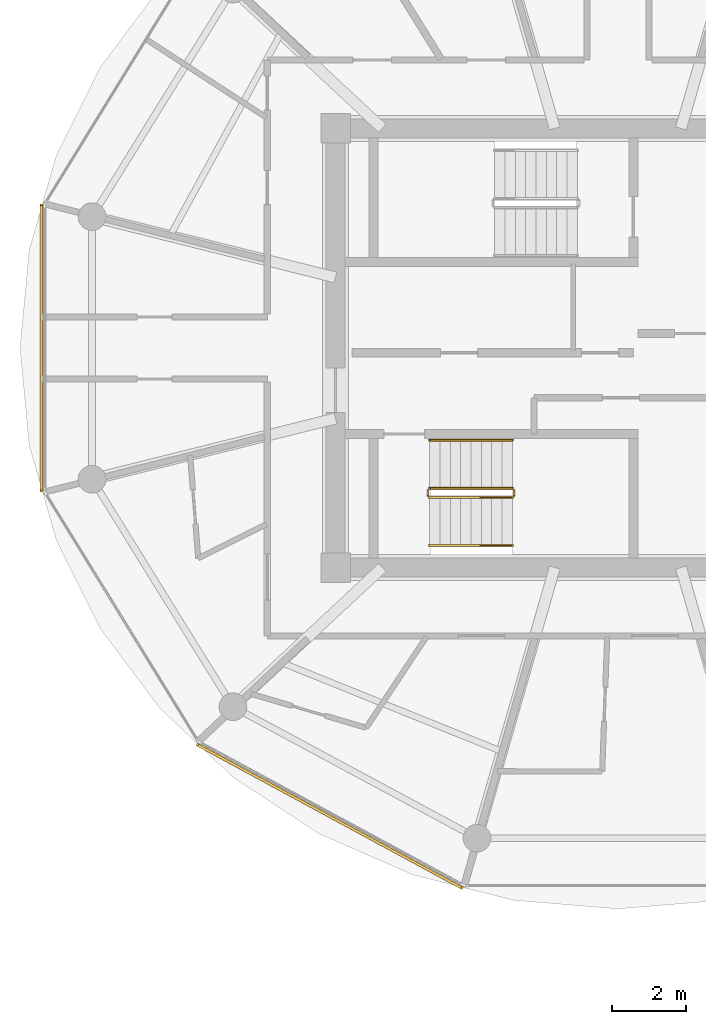
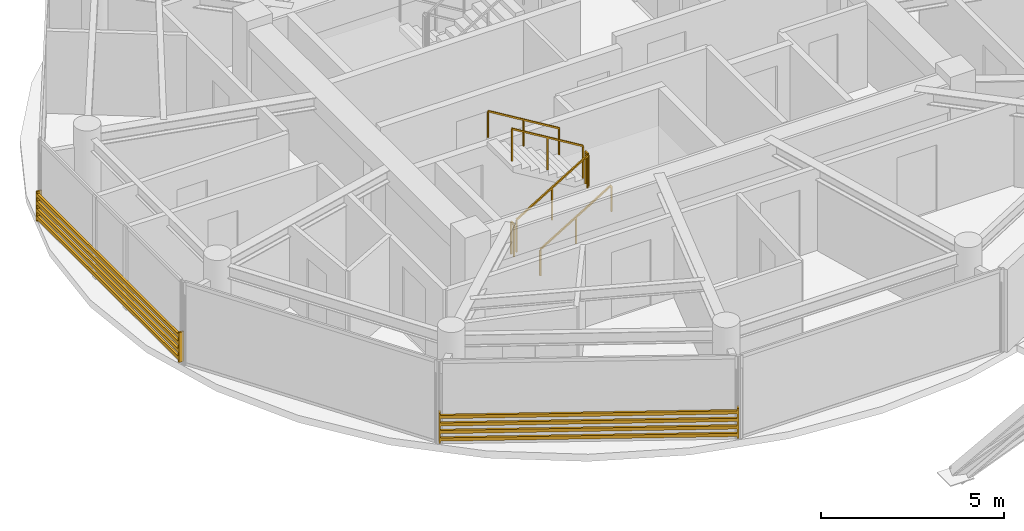
# One storey, part 19 of 23: 6 railings, 2 shading devices.
"""IFC4 building model written with IfcOpenShell, lengths in metres."""

from ifc_helpers import new_model, si_unit, direction, frame, origin, origin_2d, place, context, subcontext, project, spatial, rectangle, extrude, source, transform, mapped, material, type_object, type_shapes, element, save


model = new_model("IFC4")

# Units and contexts
model_context = context("Model", 3, precision=1e-05, world=origin(), true_north=direction((0.0, 1.0)))
body_context = subcontext(model_context, "Body", "Model", "MODEL_VIEW")
ifc_project = project(units=[si_unit("LENGTHUNIT", "METRE"), si_unit("AREAUNIT", "SQUARE_METRE"), si_unit("VOLUMEUNIT", "CUBIC_METRE"), si_unit("PLANEANGLEUNIT", "RADIAN"), si_unit("MASSUNIT", "GRAM", prefix="KILO")], contexts=[model_context])

# Site, building, storey
site_placement = place(None, origin())
site = spatial("IfcSite", under=ifc_project, at=site_placement, CompositionType="ELEMENT")
building_placement = place(site_placement, origin())
building = spatial("IfcBuilding", under=site, at=building_placement, Name="Norrkilde Senior Care Towers", CompositionType="ELEMENT")
storey_placement = place(building_placement, frame((0.0, 0.0, 196.75)))
storey = spatial("IfcBuildingStorey", under=building, at=storey_placement, Name="L61", CompositionType="ELEMENT", Elevation=196.75)

# Railings
ifc_material_1 = material(Name="Stainless Steel", Category="steel")
railing_type_1 = type_object("IfcRailingType", Name="Stair and Terrace Guardrail 1100", PredefinedType="GUARDRAIL", material=ifc_material_1)
railing_1_placement = place(storey_placement, frame((-33.10009765625, -4.050048828125, 0.16943359375)))
element("IfcRailing", 1, at=railing_1_placement, inside=storey, type_object=railing_type_1, Name="L61 ST-W2 stair guard 1", PredefinedType="GUARDRAIL", context=body_context, shape_type="SweptSolid", body=[
    extrude(rectangle(XDim=0.048095703125, YDim=0.048095703125, at=origin_2d()), frame((0.0, 0.0, 1.076171875), z_axis=(0.855553338991, 0.0, 0.51771467445), x_axis=(0.0, 1.0, 0.0)), (0.0, 0.0, 1.0), 2.6181640625),
    extrude(rectangle(XDim=0.0419921875, YDim=0.0419921875, at=origin_2d()), origin(), (0.0, 0.0, 1.0), 1.050048828125),
    extrude(rectangle(XDim=0.0419921875, YDim=0.0419921875, at=origin_2d()), frame((1.1201171875, 0.0, 0.677734375)), (0.0, 0.0, 1.0), 1.050048828125),
    extrude(rectangle(XDim=0.0419921875, YDim=0.0419921875, at=origin_2d()), frame((2.239990234375, 0.0, 1.35546875)), (0.0, 0.0, 1.0), 1.050048828125),
])
railing_2_placement = place(storey_placement, frame((-30.81005859375, -4.0, 1.52490234375)))
element("IfcRailing", 2, at=railing_2_placement, inside=storey, type_object=railing_type_1, Name="L61 ST-W2 stair guard 2", PredefinedType="GUARDRAIL", context=body_context, shape_type="SweptSolid", body=[
    extrude(rectangle(XDim=0.048095703125, YDim=0.048095703125, at=origin_2d()), frame((0.0, 0.0, 1.076171875), z_axis=(0.0, 1.0, 0.0), x_axis=(-1.0, 0.0, 0.0)), (0.0, 0.0, 1.0), 0.14990234375),
    extrude(rectangle(XDim=0.0419921875, YDim=0.0419921875, at=origin_2d()), origin(), (0.0, 0.0, 1.0), 1.050048828125),
    extrude(rectangle(XDim=0.0419921875, YDim=0.0419921875, at=origin_2d()), frame((0.0, 0.14990234375, 0.0)), (0.0, 0.0, 1.0), 1.050048828125),
])
railing_3_placement = place(storey_placement, frame((-30.860107421875, -3.800048828125, 1.6943359375)))
element("IfcRailing", 3, at=railing_3_placement, inside=storey, type_object=railing_type_1, Name="L61 ST-W2 stair guard 3", PredefinedType="GUARDRAIL", context=body_context, shape_type="SweptSolid", body=[
    extrude(rectangle(XDim=0.048095703125, YDim=0.048095703125, at=origin_2d()), frame((0.0, 0.0, 1.076171875), z_axis=(-0.855512035549, 0.0, 0.517782924622), x_axis=(0.0, -1.0, 0.0)), (0.0, 0.0, 1.0), 2.618408203125),
    extrude(rectangle(XDim=0.0419921875, YDim=0.0419921875, at=origin_2d()), origin(), (0.0, 0.0, 1.0), 1.050048828125),
    extrude(rectangle(XDim=0.0419921875, YDim=0.0419921875, at=origin_2d()), frame((-1.1201171875, 0.0, 0.677734375)), (0.0, 0.0, 1.0), 1.050048828125),
    extrude(rectangle(XDim=0.0419921875, YDim=0.0419921875, at=origin_2d()), frame((-2.239990234375, 0.0, 1.355712890625)), (0.0, 0.0, 1.0), 1.050048828125),
])
railing_4_placement = place(storey_placement, frame((-33.14990234375, -4.0, 0.0)))
element("IfcRailing", 4, at=railing_4_placement, inside=storey, type_object=railing_type_1, Name="L61 ST-W2 stair guard 4", PredefinedType="GUARDRAIL", context=body_context, shape_type="SweptSolid", body=[
    extrude(rectangle(XDim=0.048095703125, YDim=0.048095703125, at=origin_2d()), frame((0.0, 0.0, 1.076171875), z_axis=(0.0, 1.0, 0.0), x_axis=(-1.0, 0.0, 0.0)), (0.0, 0.0, 1.0), 0.14990234375),
    extrude(rectangle(XDim=0.0419921875, YDim=0.0419921875, at=origin_2d()), origin(), (0.0, 0.0, 1.0), 1.050048828125),
    extrude(rectangle(XDim=0.0419921875, YDim=0.0419921875, at=origin_2d()), frame((0.0, 0.14990234375, 0.0)), (0.0, 0.0, 1.0), 1.050048828125),
])
ifc_material_2 = material(Name="Nordic Ash Timber", Category="wood")
railing_type_2 = type_object("IfcRailingType", Name="Wall and Stair Handrail 900", PredefinedType="HANDRAIL", material=ifc_material_2)
railing_5_placement = place(storey_placement, frame((-33.10009765625, -5.35009765625, 0.16943359375)))
element("IfcRailing", 5, at=railing_5_placement, inside=storey, type_object=railing_type_2, Name="L61 ST-W2 stair handrail 1", PredefinedType="HANDRAIL", context=body_context, shape_type="SweptSolid", body=[
    extrude(rectangle(XDim=0.048095703125, YDim=0.048095703125, at=origin_2d()), frame((0.0, 0.0, 0.8759765625), z_axis=(0.855553338991, 0.0, 0.51771467445), x_axis=(0.0, 1.0, 0.0)), (0.0, 0.0, 1.0), 2.6181640625),
    extrude(rectangle(XDim=0.0419921875, YDim=0.0419921875, at=origin_2d()), origin(), (0.0, 0.0, 1.0), 0.849853515625),
    extrude(rectangle(XDim=0.0419921875, YDim=0.0419921875, at=origin_2d()), frame((1.1201171875, 0.0, 0.677734375)), (0.0, 0.0, 1.0), 0.849853515625),
    extrude(rectangle(XDim=0.0419921875, YDim=0.0419921875, at=origin_2d()), frame((2.239990234375, 0.0, 1.35546875)), (0.0, 0.0, 1.0), 0.849853515625),
])
railing_6_placement = place(storey_placement, frame((-30.860107421875, -2.5, 1.6943359375)))
element("IfcRailing", 6, at=railing_6_placement, inside=storey, type_object=railing_type_2, Name="L61 ST-W2 stair handrail 2", PredefinedType="HANDRAIL", context=body_context, shape_type="SweptSolid", body=[
    extrude(rectangle(XDim=0.048095703125, YDim=0.048095703125, at=origin_2d()), frame((0.0, 0.0, 0.8759765625), z_axis=(-0.855512035549, 0.0, 0.517782924622), x_axis=(0.0, -1.0, 0.0)), (0.0, 0.0, 1.0), 2.618408203125),
    extrude(rectangle(XDim=0.0419921875, YDim=0.0419921875, at=origin_2d()), origin(), (0.0, 0.0, 1.0), 0.849853515625),
    extrude(rectangle(XDim=0.0419921875, YDim=0.0419921875, at=origin_2d()), frame((-1.1201171875, 0.0, 0.677734375)), (0.0, 0.0, 1.0), 0.849853515625),
    extrude(rectangle(XDim=0.0419921875, YDim=0.0419921875, at=origin_2d()), frame((-2.239990234375, 0.0, 1.355712890625)), (0.0, 0.0, 1.0), 0.849853515625),
])

# Shading devices
ifc_material_3 = material(Name="Architectural Terracotta", Category="masonry")
shading_device_type = type_object("IfcShadingDeviceType", Name="Horizontal Terracotta Baguette Rack", PredefinedType="USERDEFINED", material=ifc_material_3)
shared_shape_1 = source(origin(), body_context, "Body", "SweptSolid", [
    extrude(rectangle(XDim=0.070068359375, YDim=0.110107421875, at=origin_2d()), frame((0.0, 0.090087890625, 0.125), z_axis=(1.0, 0.0, 0.0), x_axis=(0.0, 1.0, 0.0)), (0.0, 0.0, 1.0), 8.197265625),
    extrude(rectangle(XDim=0.070068359375, YDim=0.110107421875, at=origin_2d()), frame((0.0, 0.090087890625, 0.375), z_axis=(1.0, 0.0, 0.0), x_axis=(0.0, 1.0, 0.0)), (0.0, 0.0, 1.0), 8.197265625),
    extrude(rectangle(XDim=0.070068359375, YDim=0.110107421875, at=origin_2d()), frame((0.0, 0.090087890625, 0.625), z_axis=(1.0, 0.0, 0.0), x_axis=(0.0, 1.0, 0.0)), (0.0, 0.0, 1.0), 8.197265625),
    extrude(rectangle(XDim=0.070068359375, YDim=0.110107421875, at=origin_2d()), frame((0.0, 0.090087890625, 0.875), z_axis=(1.0, 0.0, 0.0), x_axis=(0.0, 1.0, 0.0)), (0.0, 0.0, 1.0), 8.197265625),
    extrude(rectangle(XDim=0.050048828125, YDim=0.1552734375, at=origin_2d()), frame((0.02490234375, 0.047607421875, 0.0)), (0.0, 0.0, 1.0), 1.0),
    extrude(rectangle(XDim=0.050048828125, YDim=0.1552734375, at=origin_2d()), frame((8.17236328125, 0.047607421875, 0.0)), (0.0, 0.0, 1.0), 1.0),
])
shading_device_1_placement = place(storey_placement, frame((-32.161865234375, -14.566162109375, 0.080078125), z_axis=(0.0, 0.0, 1.0), x_axis=(-0.879378127234, 0.476143674053, 0.0)))
element("IfcShadingDevice", 7, at=shading_device_1_placement, inside=storey, type_object=shading_device_type, Name="L61 Drum W Terracotta Baguette Screen 07", ObjectType="BAGUETTE", PredefinedType="USERDEFINED", context=body_context, shape_type="MappedRepresentation", body=[
    mapped(shared_shape_1, transform((0.0, 0.0, 0.0), x_axis=(1.0, 0.0, 0.0), y_axis=(0.0, 1.0, 0.0), z_axis=(0.0, 0.0, 1.0), scale=1.0)),
])
shared_shape_2 = source(origin(), body_context, "Body", "SweptSolid", [
    extrude(rectangle(XDim=0.070068359375, YDim=0.110107421875, at=origin_2d()), frame((0.0, 0.090087890625, 0.125), z_axis=(1.0, 0.0, 0.0), x_axis=(0.0, 1.0, 0.0)), (0.0, 0.0, 1.0), 7.80615234375),
    extrude(rectangle(XDim=0.070068359375, YDim=0.110107421875, at=origin_2d()), frame((0.0, 0.090087890625, 0.375), z_axis=(1.0, 0.0, 0.0), x_axis=(0.0, 1.0, 0.0)), (0.0, 0.0, 1.0), 7.80615234375),
    extrude(rectangle(XDim=0.070068359375, YDim=0.110107421875, at=origin_2d()), frame((0.0, 0.090087890625, 0.625), z_axis=(1.0, 0.0, 0.0), x_axis=(0.0, 1.0, 0.0)), (0.0, 0.0, 1.0), 7.80615234375),
    extrude(rectangle(XDim=0.070068359375, YDim=0.110107421875, at=origin_2d()), frame((0.0, 0.090087890625, 0.875), z_axis=(1.0, 0.0, 0.0), x_axis=(0.0, 1.0, 0.0)), (0.0, 0.0, 1.0), 7.80615234375),
    extrude(rectangle(XDim=0.050048828125, YDim=0.1552734375, at=origin_2d()), frame((0.02490234375, 0.047607421875, 0.0)), (0.0, 0.0, 1.0), 1.0),
    extrude(rectangle(XDim=0.050048828125, YDim=0.1552734375, at=origin_2d()), frame((7.78125, 0.047607421875, 0.0)), (0.0, 0.0, 1.0), 1.0),
])
type_shapes(shading_device_type, [shared_shape_1, shared_shape_2])
shading_device_2_placement = place(storey_placement, frame((-43.531982421875, -3.903076171875, 0.080078125), z_axis=(0.0, 0.0, 1.0), x_axis=(0.0, 1.0, 0.0)))
element("IfcShadingDevice", 8, at=shading_device_2_placement, inside=storey, type_object=shading_device_type, Name="L61 Drum W Terracotta Baguette Screen 05", ObjectType="BAGUETTE", PredefinedType="USERDEFINED", context=body_context, shape_type="MappedRepresentation", body=[
    mapped(shared_shape_2, transform((0.0, 0.0, 0.0), x_axis=(1.0, 0.0, 0.0), y_axis=(0.0, 1.0, 0.0), z_axis=(0.0, 0.0, 1.0), scale=1.0)),
])

save(model, "model.ifc")
